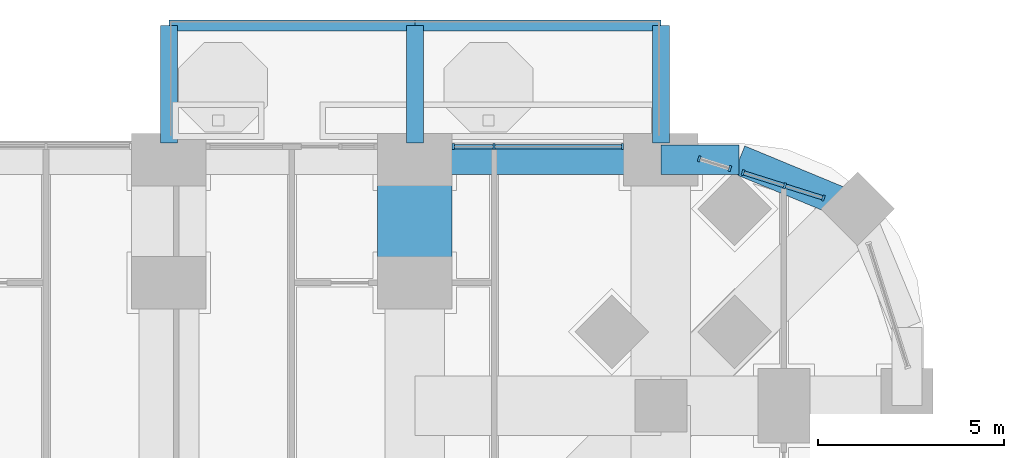
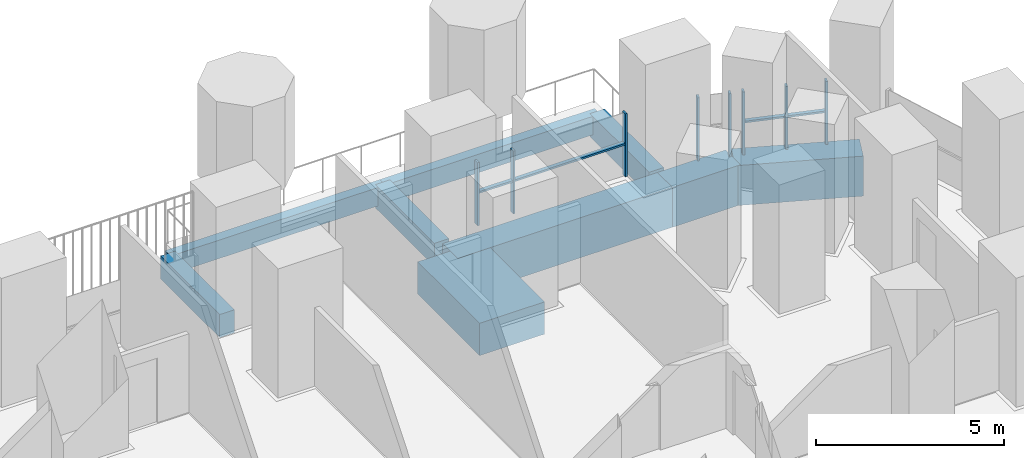
# One storey, part 10 of 27: 12 members, 9 beams, 3 elements without a shape of their own.
"""IFC4 building model written with IfcOpenShell, lengths in metres."""

from ifc_helpers import new_model, si_unit, direction, frame, origin, origin_2d, place, context, subcontext, project, spatial, rectangle, extrude, material, material_profile, profile_set, type_object, element, aggregate, save


model = new_model("IFC4")

# Units and contexts
model_context = context("Model", 3, precision=1e-05, world=origin(), true_north=direction((0.0, 1.0)))
body_context = subcontext(model_context, "Body", "Model", "MODEL_VIEW")
ifc_project = project(units=[si_unit("LENGTHUNIT", "METRE"), si_unit("AREAUNIT", "SQUARE_METRE"), si_unit("VOLUMEUNIT", "CUBIC_METRE"), si_unit("PLANEANGLEUNIT", "RADIAN"), si_unit("MASSUNIT", "GRAM", prefix="KILO")], contexts=[model_context])

# Site, building, storey
site_placement = place(None, origin())
site = spatial("IfcSite", under=ifc_project, at=site_placement, CompositionType="ELEMENT")
building_placement = place(site_placement, origin())
building = spatial("IfcBuilding", under=site, at=building_placement, Name="Cobogo Forest Laboratory Tower", CompositionType="ELEMENT")
storey_placement = place(building_placement, frame((0.0, 0.0, 71.699951171875)))
storey = spatial("IfcBuildingStorey", under=building, at=storey_placement, Name="L16", CompositionType="ELEMENT", Elevation=71.699951171875)

# Beams
ifc_material_1 = material(Name="Concrete HA-40 (C40/50)", Category="concrete")
ifc_material_profile_1 = material_profile(ifc_material_1, rectangle(XDim=0.449951171875, YDim=0.75, at=origin_2d()), Name="RC 450x750")
ifc_profile_set_1 = profile_set([ifc_material_profile_1], Name="Concrete HA-40 (C40/50)")
beam_type_1 = type_object("IfcBeamType", Name="Balcony cantilever beam 450x750", PredefinedType="BEAM", material=ifc_profile_set_1)
for number, where, z_axis, x_axis, name in (
    (1, (33.0, 46.64990234375, -0.625), (0.0, 1.0, 0.0), (-1.0, 0.0, 0.0), "CB1 BAL-N2-C1 L16"),
    (2, (39.60009765625, 46.64990234375, -0.625), (0.0, 1.0, 0.0), (-1.0, 0.0, 0.0), "CB1 BAL-N2-C2 L16"),
    (3, (46.199951171875, 46.64990234375, -0.625), (0.0, 1.0, 0.0), (-1.0, 0.0, 0.0), "CB1 BAL-N2-C3 L16"),
):
    element("IfcBeam", number, at=place(storey_placement, frame(where, z_axis=z_axis, x_axis=x_axis)), inside=storey, type_object=beam_type_1, Name=name, PredefinedType="BEAM", context=body_context, shape_type="SweptSolid", body=[
        extrude(rectangle(XDim=0.449951171875, YDim=0.75, at=origin_2d()), origin(), (0.0, 0.0, 1.0), 3.150146484375),
    ])
ifc_material_profile_2 = material_profile(ifc_material_1, rectangle(XDim=0.300048828125, YDim=0.60009765625, at=origin_2d()), Name="RC 300x600")
ifc_profile_set_2 = profile_set([ifc_material_profile_2], Name="Concrete HA-40 (C40/50)")
beam_type_2 = type_object("IfcBeamType", Name="Balcony edge beam 300x600", PredefinedType="BEAM", material=ifc_profile_set_2)
beam_1_placement = place(storey_placement, frame((33.0, 49.800048828125, -0.550048828125), z_axis=(1.0, 0.0, 0.0), x_axis=(0.0, 1.0, 0.0)))
element("IfcBeam", 4, at=beam_1_placement, inside=storey, type_object=beam_type_2, Name="BB1 BAL-N2-T1 L16", PredefinedType="BEAM", context=body_context, shape_type="SweptSolid", body=[
    extrude(rectangle(XDim=0.300048828125, YDim=0.60009765625, at=origin_2d()), origin(), (0.0, 0.0, 1.0), 6.60009765625),
])
beam_2_placement = place(storey_placement, frame((39.60009765625, 49.800048828125, -0.550048828125), z_axis=(1.0, 0.0, 0.0), x_axis=(0.0, 1.0, 0.0)))
element("IfcBeam", 5, at=beam_2_placement, inside=storey, type_object=beam_type_2, Name="BB1 BAL-N2-T2 L16", PredefinedType="BEAM", context=body_context, shape_type="SweptSolid", body=[
    extrude(rectangle(XDim=0.300048828125, YDim=0.60009765625, at=origin_2d()), origin(), (0.0, 0.0, 1.0), 6.599853515625),
])
ifc_material_2 = material(Name="Concrete HA-50 (C50/60)", Category="concrete")
ifc_material_profile_3 = material_profile(ifc_material_2, rectangle(XDim=2.0, YDim=1.050048828125, at=origin_2d()), Name="RC 2000x1050")
ifc_profile_set_3 = profile_set([ifc_material_profile_3], Name="Concrete HA-50 (C50/60)")
beam_type_3 = type_object("IfcBeamType", Name="End-bay wide beam 2000x1050", PredefinedType="BEAM", material=ifc_profile_set_3)
beam_3_placement = place(storey_placement, frame((39.60009765625, 46.199951171875, -0.824951171875), z_axis=(0.0, -1.0, 0.0), x_axis=(1.0, 0.0, 0.0)))
element("IfcBeam", 6, at=beam_3_placement, inside=storey, type_object=beam_type_3, Name="RB7 R-7-N-X L16", PredefinedType="BEAM", context=body_context, shape_type="SweptSolid", body=[
    extrude(rectangle(XDim=2.0, YDim=1.050048828125, at=origin_2d()), origin(), (0.0, 0.0, 1.0), 3.300048828125),
])

# Curtain wall, members
ifc_material_3 = material(Name="Aluminium curtain wall", Category="aluminium")
curtain_wall_type = type_object("IfcCurtainWallType", Name="CW-1 unitised curtain wall, clear glazing, laboratory floors zones A and B", PredefinedType="USERDEFINED", material=ifc_material_3)
curtain_wall_1_placement = place(storey_placement, origin())
curtain_wall_1 = element("IfcCurtainWall", 7, at=curtain_wall_1_placement, inside=storey, type_object=curtain_wall_type, Name="Curtain wall 16 L16", ObjectType="UNITISED CURTAIN WALL", PredefinedType="USERDEFINED")
ifc_material_4 = material(Name="Aluminium mullion", Category="aluminium")
ifc_material_profile_4 = material_profile(ifc_material_4, rectangle(XDim=0.06005859375, YDim=0.159912109375, at=origin_2d()), Name="AL 60x160")
ifc_profile_set_4 = profile_set([ifc_material_profile_4], Name="Aluminium mullion")
member_type_1 = type_object("IfcMemberType", Name="MU-1 aluminium mullion 60x160", PredefinedType="MULLION", material=ifc_profile_set_4)
member_1_placement = place(storey_placement, frame((50.561279296875, 45.1728515625, 0.0), z_axis=(0.0, 0.0, 1.0), x_axis=(-0.953581409645, 0.301135343623, 0.0)))
member_1 = element("IfcMember", 8, at=member_1_placement, type_object=member_type_1, Name="CW-1 mullion 1", PredefinedType="MULLION", context=body_context, shape_type="SweptSolid", body=[
    extrude(rectangle(XDim=0.06005859375, YDim=0.159912109375, at=origin_2d()), origin(), (0.0, 0.0, 1.0), 2.050048828125),
])
member_2_placement = place(storey_placement, frame((49.524169921875, 45.500244140625, 0.0), z_axis=(0.0, 0.0, 1.0), x_axis=(-0.953581409645, 0.301135343623, 0.0)))
member_2 = element("IfcMember", 9, at=member_2_placement, type_object=member_type_1, Name="CW-1 mullion 2", PredefinedType="MULLION", context=body_context, shape_type="SweptSolid", body=[
    extrude(rectangle(XDim=0.06005859375, YDim=0.159912109375, at=origin_2d()), origin(), (0.0, 0.0, 1.0), 2.050048828125),
])
member_3_placement = place(storey_placement, frame((48.403076171875, 45.854248046875, 0.0), z_axis=(0.0, 0.0, 1.0), x_axis=(-0.953581409645, 0.301135343623, 0.0)))
member_3 = element("IfcMember", 10, at=member_3_placement, type_object=member_type_1, Name="CW-1 mullion 3", PredefinedType="MULLION", context=body_context, shape_type="SweptSolid", body=[
    extrude(rectangle(XDim=0.06005859375, YDim=0.159912109375, at=origin_2d()), origin(), (0.0, 0.0, 1.0), 2.050048828125),
])

curtain_wall_2_placement = place(storey_placement, origin())
curtain_wall_2 = element("IfcCurtainWall", 11, at=curtain_wall_2_placement, inside=storey, type_object=curtain_wall_type, Name="Curtain wall 17 L16", ObjectType="UNITISED CURTAIN WALL", PredefinedType="USERDEFINED")
member_4_placement = place(storey_placement, frame((48.05322265625, 45.96484375, 0.0), z_axis=(0.0, 0.0, 1.0), x_axis=(-0.953581406818, 0.301135352577, 0.0)))
member_4 = element("IfcMember", 12, at=member_4_placement, type_object=member_type_1, Name="CW-1 mullion 1", PredefinedType="MULLION", context=body_context, shape_type="SweptSolid", body=[
    extrude(rectangle(XDim=0.06005859375, YDim=0.159912109375, at=origin_2d()), origin(), (0.0, 0.0, 1.0), 2.050048828125),
])
member_5_placement = place(storey_placement, frame((47.228515625, 46.22509765625, 0.0), z_axis=(0.0, 0.0, 1.0), x_axis=(-0.953581406818, 0.301135352577, 0.0)))
member_5 = element("IfcMember", 13, at=member_5_placement, type_object=member_type_1, Name="CW-1 mullion 2", PredefinedType="MULLION", context=body_context, shape_type="SweptSolid", body=[
    extrude(rectangle(XDim=0.06005859375, YDim=0.159912109375, at=origin_2d()), origin(), (0.0, 0.0, 1.0), 2.050048828125),
])
aggregate(curtain_wall_2, [member_4, member_5])

curtain_wall_3_placement = place(storey_placement, origin())
curtain_wall_3 = element("IfcCurtainWall", 14, at=curtain_wall_3_placement, inside=storey, type_object=curtain_wall_type, Name="Curtain wall 18 L16", ObjectType="UNITISED CURTAIN WALL", PredefinedType="USERDEFINED")
member_6_placement = place(storey_placement, frame((45.169921875, 46.550048828125, 0.0), z_axis=(0.0, 0.0, 1.0), x_axis=(-1.0, 0.0, 0.0)))
member_6 = element("IfcMember", 15, at=member_6_placement, type_object=member_type_1, Name="CW-1 mullion 1", PredefinedType="MULLION", context=body_context, shape_type="SweptSolid", body=[
    extrude(rectangle(XDim=0.06005859375, YDim=0.159912109375, at=origin_2d()), origin(), (0.0, 0.0, 1.0), 2.050048828125),
])
member_7_placement = place(storey_placement, frame((41.72509765625, 46.550048828125, 0.0), z_axis=(0.0, 0.0, 1.0), x_axis=(-1.0, 0.0, 0.0)))
member_7 = element("IfcMember", 16, at=member_7_placement, type_object=member_type_1, Name="CW-1 mullion 2", PredefinedType="MULLION", context=body_context, shape_type="SweptSolid", body=[
    extrude(rectangle(XDim=0.06005859375, YDim=0.159912109375, at=origin_2d()), origin(), (0.0, 0.0, 1.0), 2.050048828125),
])
member_8_placement = place(storey_placement, frame((40.6298828125, 46.550048828125, 0.0), z_axis=(0.0, 0.0, 1.0), x_axis=(-1.0, 0.0, 0.0)))
member_8 = element("IfcMember", 17, at=member_8_placement, type_object=member_type_1, Name="CW-1 mullion 3", PredefinedType="MULLION", context=body_context, shape_type="SweptSolid", body=[
    extrude(rectangle(XDim=0.06005859375, YDim=0.159912109375, at=origin_2d()), origin(), (0.0, 0.0, 1.0), 2.050048828125),
])

# Beams
ifc_material_profile_5 = material_profile(ifc_material_1, rectangle(XDim=0.800048828125, YDim=1.300048828125, at=origin_2d()), Name="RC 800x1300")
ifc_profile_set_5 = profile_set([ifc_material_profile_5], Name="Concrete HA-40 (C40/50)")
beam_type_4 = type_object("IfcBeamType", Name="Perimeter edge beam 800x1300", PredefinedType="BEAM", material=ifc_profile_set_5)
beam_4_placement = place(storey_placement, frame((39.60009765625, 46.199951171875, -0.949951171875), z_axis=(1.0, 0.0, 0.0), x_axis=(0.0, 1.0, 0.0)))
element("IfcBeam", 18, at=beam_4_placement, inside=storey, type_object=beam_type_4, Name="EB2 E-N6 L16", PredefinedType="BEAM", context=body_context, shape_type="SweptSolid", body=[
    extrude(rectangle(XDim=0.800048828125, YDim=1.300048828125, at=origin_2d()), origin(), (0.0, 0.0, 1.0), 6.599853515625),
])
beam_5_placement = place(storey_placement, frame((46.199951171875, 46.199951171875, -0.949951171875), z_axis=(1.0, 0.0, 0.0), x_axis=(0.0, 1.0, 0.0)))
element("IfcBeam", 19, at=beam_5_placement, inside=storey, type_object=beam_type_4, Name="EB2 E-NEN1 L16", PredefinedType="BEAM", context=body_context, shape_type="SweptSolid", body=[
    extrude(rectangle(XDim=0.800048828125, YDim=1.300048828125, at=origin_2d()), origin(), (0.0, 0.0, 1.0), 2.10009765625),
])
beam_6_placement = place(storey_placement, frame((48.300048828125, 46.199951171875, -0.949951171875), z_axis=(0.923890694089, -0.382656484822, 0.0), x_axis=(0.382656484822, 0.923890694089, 0.0)))
element("IfcBeam", 20, at=beam_6_placement, inside=storey, type_object=beam_type_4, Name="EB2 E-NEN2 L16", PredefinedType="BEAM", context=body_context, shape_type="SweptSolid", body=[
    extrude(rectangle(XDim=0.800048828125, YDim=1.300048828125, at=origin_2d()), origin(), (0.0, 0.0, 1.0), 3.444091796875),
])

# Member
ifc_material_5 = material(Name="Aluminium transom", Category="aluminium")
ifc_material_profile_6 = material_profile(ifc_material_5, rectangle(XDim=0.1201171875, YDim=0.06005859375, at=origin_2d()), Name="AL 60x120")
ifc_profile_set_6 = profile_set([ifc_material_profile_6], Name="Aluminium transom")
member_type_2 = type_object("IfcMemberType", Name="TR-1 aluminium transom 60x120", PredefinedType="USERDEFINED", material=ifc_profile_set_6)
member_9_placement = place(storey_placement, frame((50.53271484375, 45.181884765625, 1.050048828125), z_axis=(-0.953622152866, 0.301006294888, 0.0), x_axis=(-0.301006294888, -0.953622152866, 0.0)))
member_9 = element("IfcMember", 21, at=member_9_placement, type_object=member_type_2, Name="CW-1 transom 1.1", ObjectType="TRANSOM", PredefinedType="USERDEFINED", context=body_context, shape_type="SweptSolid", body=[
    extrude(rectangle(XDim=0.1201171875, YDim=0.06005859375, at=origin_2d()), origin(), (0.0, 0.0, 1.0), 1.027587890625),
])

member_10_placement = place(storey_placement, frame((49.495361328125, 45.50927734375, 1.050048828125), z_axis=(-0.953576049467, 0.301152316747, 0.0), x_axis=(-0.301152316747, -0.953576049467, 0.0)))
member_10 = element("IfcMember", 22, at=member_10_placement, type_object=member_type_2, Name="CW-1 transom 2.1", ObjectType="TRANSOM", PredefinedType="USERDEFINED", context=body_context, shape_type="SweptSolid", body=[
    extrude(rectangle(XDim=0.1201171875, YDim=0.06005859375, at=origin_2d()), origin(), (0.0, 0.0, 1.0), 1.115478515625),
])

aggregate(curtain_wall_1, [member_1, member_2, member_3, member_9, member_10])

member_11_placement = place(storey_placement, frame((45.139892578125, 46.550048828125, 1.050048828125), z_axis=(-1.0, 0.0, 0.0), x_axis=(0.0, -1.0, 0.0)))
member_11 = element("IfcMember", 23, at=member_11_placement, type_object=member_type_2, Name="CW-1 transom 1.1", ObjectType="TRANSOM", PredefinedType="USERDEFINED", context=body_context, shape_type="SweptSolid", body=[
    extrude(rectangle(XDim=0.1201171875, YDim=0.06005859375, at=origin_2d()), origin(), (0.0, 0.0, 1.0), 3.385009765625),
])

member_12_placement = place(storey_placement, frame((41.695068359375, 46.550048828125, 1.050048828125), z_axis=(-1.0, 0.0, 0.0), x_axis=(0.0, -1.0, 0.0)))
member_12 = element("IfcMember", 24, at=member_12_placement, type_object=member_type_2, Name="CW-1 transom 2.1", ObjectType="TRANSOM", PredefinedType="USERDEFINED", context=body_context, shape_type="SweptSolid", body=[
    extrude(rectangle(XDim=0.1201171875, YDim=0.06005859375, at=origin_2d()), origin(), (0.0, 0.0, 1.0), 1.03515625),
])

aggregate(curtain_wall_3, [member_6, member_7, member_8, member_11, member_12])

save(model, "model.ifc")
